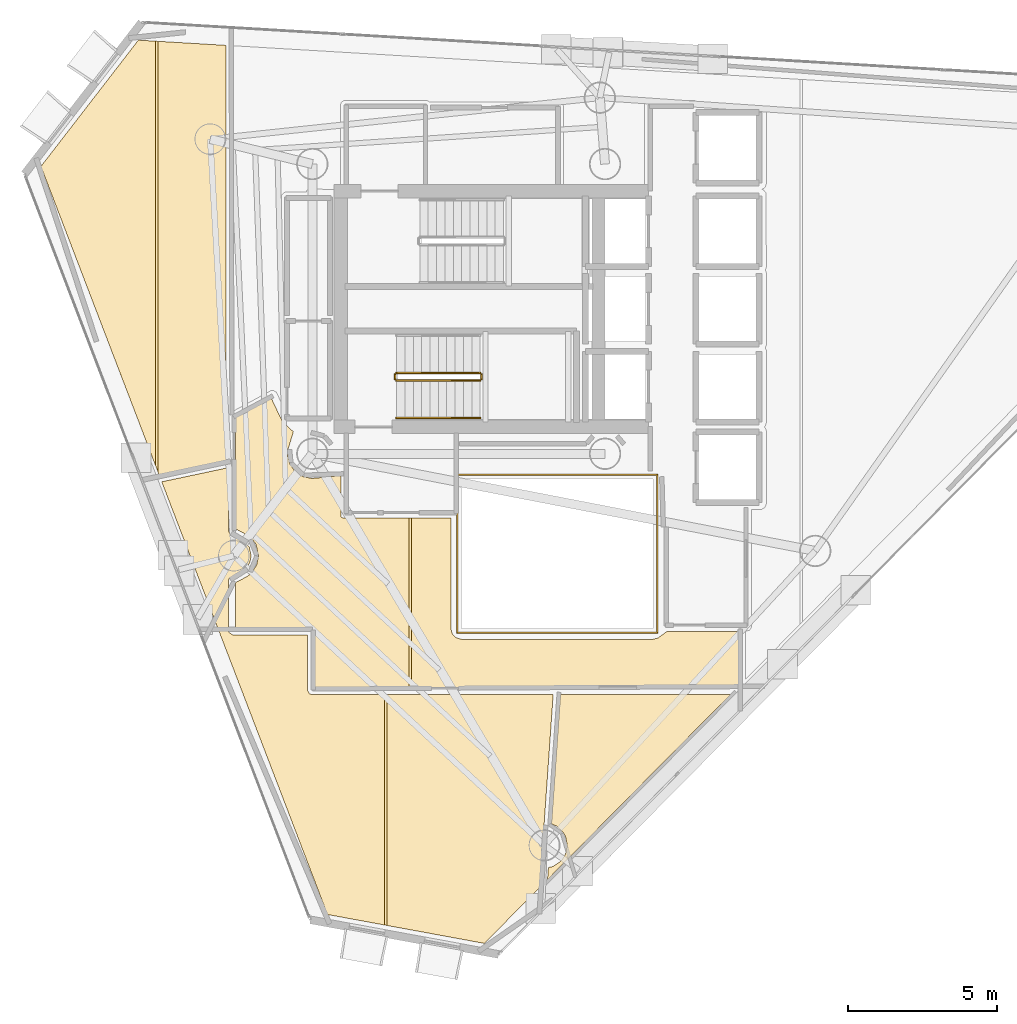
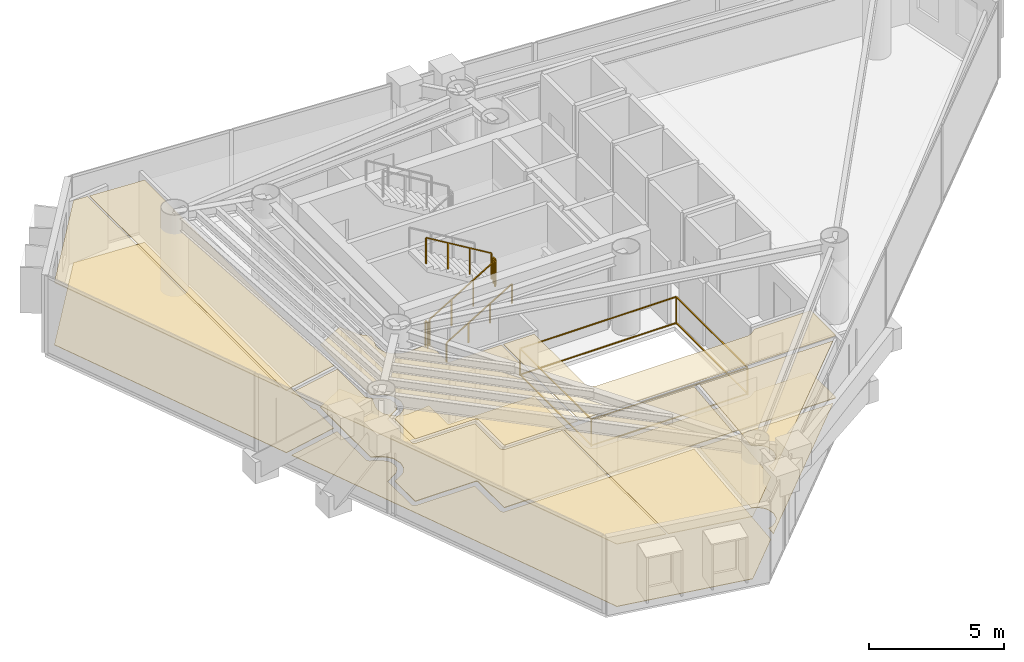
# One storey, part 19 of 20: 11 coverings, 6 railings.
"""IFC4 building model written with IfcOpenShell, lengths in metres."""

from ifc_helpers import new_model, si_unit, direction, frame, origin, origin_2d, place, context, subcontext, project, spatial, polyline, rectangle, outline, extrude, material, layer, layer_set, type_object, element, save


model = new_model("IFC4")

# Units and contexts
model_context = context("Model", 3, precision=1e-05, world=origin(), true_north=direction((0.0, 1.0)))
body_context = subcontext(model_context, "Body", "Model", "MODEL_VIEW")
ifc_project = project(units=[si_unit("LENGTHUNIT", "METRE"), si_unit("AREAUNIT", "SQUARE_METRE"), si_unit("VOLUMEUNIT", "CUBIC_METRE"), si_unit("PLANEANGLEUNIT", "RADIAN"), si_unit("MASSUNIT", "GRAM", prefix="KILO")], contexts=[model_context])

# Site, building, storey
site_placement = place(None, origin())
site = spatial("IfcSite", under=ifc_project, at=site_placement, CompositionType="ELEMENT")
building_placement = place(site_placement, origin())
building = spatial("IfcBuilding", under=site, at=building_placement, Name="Qianvela Tower", CompositionType="ELEMENT")
storey_placement = place(building_placement, frame((0.0, 0.0, 239.0)))
storey = spatial("IfcBuildingStorey", under=building, at=storey_placement, Name="L61", CompositionType="ELEMENT", Elevation=239.0)

# Coverings
ifc_material_1 = material(Name="Perforated Mineral Acoustic Ceiling Tile")
ifc_layer_1 = layer(ifc_material_1, 0.02490234375)
ifc_layer_set_1 = layer_set([ifc_layer_1], Name="Perforated Mineral Acoustic Ceiling Tile")
covering_type_1 = type_object("IfcCoveringType", Name="COV-CEIL-ACOUSTIC-25", PredefinedType="CEILING", material=ifc_layer_set_1)
covering_1_placement = place(storey_placement, frame((0.0, 0.0, 2.81494140625)))
element("IfcCovering", 1, at=covering_1_placement, inside=storey, type_object=covering_type_1, Name="L61 Acoustic Ceiling Bay 1 L61 Floor Corridor", PredefinedType="CEILING", context=body_context, shape_type="SweptSolid", body=[
    extrude(outline(polyline([(27.791015625, 24.010986328125), (27.789794921875, 24.003173828125), (27.775390625, 23.85791015625), (27.77490234375, 23.85009765625), (27.775390625, 23.84228515625), (27.776611328125, 23.83447265625), (27.833251953125, 23.54931640625), (27.835205078125, 23.541748046875), (27.837890625, 23.5341796875), (27.84130859375, 23.527099609375), (27.84521484375, 23.5205078125), (28.006591796875, 23.27880859375), (28.011474609375, 23.2724609375), (28.0166015625, 23.2666015625), (28.0224609375, 23.261474609375), (28.02880859375, 23.256591796875), (28.2705078125, 23.09521484375), (28.277099609375, 23.09130859375), (28.2841796875, 23.087890625), (28.291748046875, 23.085205078125), (28.29931640625, 23.083251953125), (28.58447265625, 23.026611328125), (28.59228515625, 23.025390625), (28.60009765625, 23.02490234375), (28.60791015625, 23.025390625), (29.55810546875, 23.118896484375), (29.55810546875, 21.780029296875), (29.558349609375, 21.772216796875), (29.5595703125, 21.764404296875), (29.561279296875, 21.7568359375), (29.564208984375, 21.74951171875), (29.5673828125, 21.7421875), (29.571533203125, 21.735595703125), (29.576171875, 21.729248046875), (29.581298828125, 21.723388671875), (29.587158203125, 21.71826171875), (29.593505859375, 21.71337890625), (29.600341796875, 21.70947265625), (29.607421875, 21.7060546875), (29.61474609375, 21.703369140625), (29.622314453125, 21.701416015625), (29.630126953125, 21.700439453125), (29.637939453125, 21.699951171875), (31.8359375, 21.699951171875), (31.8359375, 16.030029296875), (28.679931640625, 16.030029296875), (28.679931640625, 17.949951171875), (28.6796875, 17.957763671875), (28.678466796875, 17.965576171875), (28.676513671875, 17.97314453125), (28.673828125, 17.980712890625), (28.670654296875, 17.98779296875), (28.66650390625, 17.994384765625), (28.661865234375, 18.000732421875), (28.656494140625, 18.006591796875), (28.65087890625, 18.01171875), (28.644287109375, 18.0166015625), (28.6376953125, 18.0205078125), (28.630615234375, 18.02392578125), (28.623291015625, 18.026611328125), (28.615478515625, 18.028564453125), (28.60791015625, 18.029541015625), (28.60009765625, 18.030029296875), (26.030029296875, 18.030029296875), (26.030029296875, 19.53662109375), (26.423583984375, 19.7470703125), (26.430419921875, 19.7509765625), (26.436767578125, 19.755615234375), (26.549560546875, 19.848388671875), (26.555419921875, 19.853515625), (26.560546875, 19.859619140625), (26.565185546875, 19.86572265625), (26.726806640625, 20.107421875), (26.730712890625, 20.1142578125), (26.734130859375, 20.121337890625), (26.73681640625, 20.128662109375), (26.73876953125, 20.13623046875), (26.79541015625, 20.42138671875), (26.796630859375, 20.4296875), (26.797119140625, 20.437744140625), (26.79638671875, 20.446044921875), (26.795166015625, 20.4541015625), (26.716796875, 20.810546875), (26.71484375, 20.81787109375), (26.712158203125, 20.82470703125), (26.708984375, 20.83154296875), (26.705078125, 20.838134765625), (26.700439453125, 20.843994140625), (26.560546875, 21.014404296875), (26.555419921875, 21.0205078125), (26.549560546875, 21.025634765625), (26.436767578125, 21.118408203125), (26.430419921875, 21.123046875), (26.423583984375, 21.126953125), (26.030029296875, 21.33740234375), (26.030029296875, 25.065673828125), (27.22900390625, 25.70654296875), (27.58837890625, 24.947509765625), (27.591796875, 24.94091796875), (27.59619140625, 24.934814453125), (27.600830078125, 24.928955078125), (27.60595703125, 24.923583984375), (27.96533203125, 24.587158203125), (27.792724609375, 24.0185546875), (27.791015625, 24.010986328125)])), origin(), (0.0, 0.0, 1.0), 0.025146484375),
])
covering_2_placement = place(storey_placement, frame((0.0, 0.0, 2.81494140625)))
element("IfcCovering", 2, at=covering_2_placement, inside=storey, type_object=covering_type_1, Name="L61 Acoustic Ceiling Bay 2 L61 Floor Corridor", PredefinedType="CEILING", context=body_context, shape_type="SweptSolid", body=[
    extrude(outline(polyline([(33.239990234375, 21.699951171875), (33.239990234375, 18.0), (33.240478515625, 17.990234375), (33.242431640625, 17.980712890625), (33.275390625, 17.8486328125), (33.277587890625, 17.841064453125), (33.28076171875, 17.833740234375), (33.284423828125, 17.826904296875), (33.288818359375, 17.8203125), (33.293701171875, 17.814208984375), (33.38525390625, 17.71337890625), (33.391357421875, 17.70751953125), (33.398193359375, 17.701904296875), (33.405517578125, 17.697509765625), (33.4130859375, 17.693603515625), (33.421142578125, 17.690673828125), (33.576904296875, 17.643310546875), (33.58447265625, 17.6416015625), (33.59228515625, 17.640380859375), (33.60009765625, 17.639892578125), (40.0, 17.639892578125), (40.006591796875, 17.640380859375), (40.012939453125, 17.64111328125), (40.019287109375, 17.642333984375), (40.1513671875, 17.675537109375), (40.15869140625, 17.677734375), (40.166015625, 17.6806640625), (40.172607421875, 17.68408203125), (40.17919921875, 17.6884765625), (40.459228515625, 17.89306640625), (42.8701171875, 17.89990234375), (42.8701171875, 16.062744140625), (42.837646484375, 16.030029296875), (31.916015625, 16.030029296875), (31.916015625, 21.699951171875), (33.239990234375, 21.699951171875)])), origin(), (0.0, 0.0, 1.0), 0.025146484375),
])
covering_3_placement = place(storey_placement, frame((0.0, 0.0, 2.81494140625)))
element("IfcCovering", 3, at=covering_3_placement, inside=storey, type_object=covering_type_1, Name="L61 Acoustic Ceiling Panoramic Study Lounge L61-01", PredefinedType="CEILING", context=body_context, shape_type="SweptSolid", body=[
    extrude(outline(polyline([(36.50341796875, 9.998046875), (36.64892578125, 10.031005859375), (36.656005859375, 10.033203125), (36.662841796875, 10.03564453125), (36.669189453125, 10.038818359375), (36.675537109375, 10.04248046875), (36.897705078125, 10.191162109375), (36.904052734375, 10.19580078125), (36.909912109375, 10.201171875), (36.915283203125, 10.206787109375), (36.919921875, 10.213134765625), (37.068359375, 10.435302734375), (37.072509765625, 10.442138671875), (37.07568359375, 10.44921875), (37.078369140625, 10.45654296875), (37.080322265625, 10.46435546875), (37.132568359375, 10.726318359375), (37.133544921875, 10.734130859375), (37.134033203125, 10.741943359375), (37.133544921875, 10.749755859375), (37.132568359375, 10.757568359375), (37.080322265625, 11.019775390625), (37.078369140625, 11.02734375), (37.07568359375, 11.034912109375), (37.072509765625, 11.041748046875), (37.009033203125, 11.160400390625), (37.005126953125, 11.1669921875), (37.00048828125, 11.17333984375), (36.9951171875, 11.17919921875), (36.80615234375, 11.3681640625), (36.80029296875, 11.373291015625), (36.794189453125, 11.3779296875), (36.78759765625, 11.3818359375), (36.78076171875, 11.38525390625), (36.60546875, 11.45947265625), (36.908203125, 15.7900390625), (42.60009765625, 15.7900390625), (36.475341796875, 9.597900390625), (36.50341796875, 9.998046875)])), origin(), (0.0, 0.0, 1.0), 0.025146484375),
])
covering_4_placement = place(storey_placement, frame((0.0, 0.0, 2.81494140625)))
element("IfcCovering", 4, at=covering_4_placement, inside=storey, type_object=covering_type_1, Name="L61 Acoustic Ceiling Bay 1 Shared Communal Kitchen L61-03", PredefinedType="CEILING", context=body_context, shape_type="SweptSolid", body=[
    extrude(outline(polyline([(19.514892578125, 33.47119140625), (22.7763671875, 37.697998046875), (23.35791015625, 37.66357421875), (23.35791015625, 23.438720703125), (19.514892578125, 33.47119140625)])), origin(), (0.0, 0.0, 1.0), 0.025146484375),
])
covering_5_placement = place(storey_placement, frame((0.0, 0.0, 2.81494140625)))
element("IfcCovering", 5, at=covering_5_placement, inside=storey, type_object=covering_type_1, Name="L61 Acoustic Ceiling Bay 2 Shared Communal Kitchen L61-03", PredefinedType="CEILING", context=body_context, shape_type="SweptSolid", body=[
    extrude(outline(polyline([(23.47119140625, 23.142822265625), (23.43798828125, 23.229736328125), (23.43798828125, 37.65869140625), (25.7119140625, 37.52392578125), (25.711181640625, 25.235107421875), (25.711669921875, 25.228271484375), (25.71240234375, 25.22119140625), (25.714111328125, 25.214111328125), (25.747314453125, 25.092041015625), (25.75, 25.084228515625), (25.75341796875, 25.076904296875), (25.75732421875, 25.06982421875), (25.76220703125, 25.063232421875), (25.767578125, 25.05712890625), (25.773681640625, 25.051513671875), (25.780029296875, 25.046630859375), (25.787109375, 25.04248046875), (25.798828125, 25.036376953125), (25.790283203125, 23.6357421875), (23.47119140625, 23.142822265625)])), origin(), (0.0, 0.0, 1.0), 0.025146484375),
])
covering_6_placement = place(storey_placement, frame((0.0, 0.0, 2.81494140625)))
element("IfcCovering", 6, at=covering_6_placement, inside=storey, type_object=covering_type_1, Name="L61 Acoustic Ceiling Bay 1 Student Tea Pantry L61-04", PredefinedType="CEILING", context=body_context, shape_type="SweptSolid", body=[
    extrude(outline(polyline([(25.839111328125, 21.178466796875), (25.84375, 21.172119140625), (25.84912109375, 21.16650390625), (25.854736328125, 21.1611328125), (25.861083984375, 21.156494140625), (25.867919921875, 21.15234375), (26.296630859375, 20.9228515625), (26.385009765625, 20.85009765625), (26.490478515625, 20.721435546875), (26.553466796875, 20.435302734375), (26.509521484375, 20.21435546875), (26.3818359375, 20.023193359375), (25.830810546875, 19.67529296875), (25.82421875, 19.6708984375), (25.818115234375, 19.66552734375), (25.8125, 19.65966796875), (25.8076171875, 19.6533203125), (25.80322265625, 19.646240234375), (25.7998046875, 19.638916015625), (25.797119140625, 19.63134765625), (25.794921875, 19.62353515625), (25.793701171875, 19.615478515625), (25.79345703125, 19.607421875), (25.79931640625, 17.912109375), (25.7998046875, 17.90380859375), (25.80126953125, 17.895751953125), (25.80322265625, 17.8876953125), (25.80615234375, 17.880126953125), (25.809814453125, 17.872802734375), (25.814208984375, 17.86572265625), (25.8193359375, 17.859375), (25.8251953125, 17.853515625), (25.83154296875, 17.84814453125), (25.83837890625, 17.84375), (25.908935546875, 17.801513671875), (25.91650390625, 17.79736328125), (25.924560546875, 17.794189453125), (25.932861328125, 17.7919921875), (25.94140625, 17.79052734375), (25.949951171875, 17.7900390625), (28.43994140625, 17.7900390625), (28.43994140625, 15.949951171875), (28.4404296875, 15.94140625), (28.44189453125, 15.932861328125), (28.444091796875, 15.924560546875), (28.447265625, 15.91650390625), (28.451416015625, 15.908935546875), (28.49365234375, 15.83837890625), (28.498291015625, 15.83154296875), (28.50341796875, 15.8251953125), (28.509521484375, 15.8193359375), (28.515869140625, 15.814208984375), (28.522705078125, 15.809814453125), (28.5302734375, 15.80615234375), (28.537841796875, 15.80322265625), (28.5458984375, 15.80126953125), (28.553955078125, 15.7998046875), (28.562255859375, 15.79931640625), (31.013427734375, 15.796630859375), (31.013427734375, 8.07470703125), (29.10888671875, 8.42529296875), (23.5595703125, 22.912109375), (25.7900390625, 23.38623046875), (25.7900390625, 21.289306640625), (25.790283203125, 21.281494140625), (25.79150390625, 21.273681640625), (25.79345703125, 21.26611328125), (25.796142578125, 21.2587890625), (25.79931640625, 21.251708984375), (25.8349609375, 21.185302734375), (25.839111328125, 21.178466796875)])), origin(), (0.0, 0.0, 1.0), 0.025146484375),
])
covering_7_placement = place(storey_placement, frame((0.0, 0.0, 2.81494140625)))
element("IfcCovering", 7, at=covering_7_placement, inside=storey, type_object=covering_type_1, Name="L61 Acoustic Ceiling Bay 2 Student Tea Pantry L61-04", PredefinedType="CEILING", context=body_context, shape_type="SweptSolid", body=[
    extrude(outline(polyline([(36.663818359375, 15.7900390625), (36.212158203125, 9.331787109375), (34.35986328125, 7.458984375), (31.093505859375, 8.06005859375), (31.093505859375, 15.79638671875), (36.663818359375, 15.7900390625)])), origin(), (0.0, 0.0, 1.0), 0.025146484375),
])
ifc_material_2 = material(Name="Engineered Acoustic Oak Timber Flooring", Category="wood")
ifc_layer_2 = layer(ifc_material_2, 0.02001953125)
ifc_layer_set_2 = layer_set([ifc_layer_2], Name="Engineered Acoustic Oak Timber Flooring")
covering_type_2 = type_object("IfcCoveringType", Name="COV-FLOOR-OAK-20", PredefinedType="FLOORING", material=ifc_layer_set_2)
covering_8_placement = place(storey_placement, origin())
element("IfcCovering", 8, at=covering_8_placement, inside=storey, type_object=covering_type_2, Name="L61 Finish Flooring Panoramic Study Lounge L61-01", PredefinedType="FLOORING", context=body_context, shape_type="SweptSolid", body=[
    extrude(outline(polyline([(36.50341796875, 9.998046875), (36.64892578125, 10.031005859375), (36.656005859375, 10.033203125), (36.662841796875, 10.03564453125), (36.669189453125, 10.038818359375), (36.675537109375, 10.04248046875), (36.897705078125, 10.191162109375), (36.904052734375, 10.19580078125), (36.909912109375, 10.201171875), (36.915283203125, 10.206787109375), (36.919921875, 10.213134765625), (37.068359375, 10.435302734375), (37.072509765625, 10.442138671875), (37.07568359375, 10.44921875), (37.078369140625, 10.45654296875), (37.080322265625, 10.46435546875), (37.132568359375, 10.726318359375), (37.133544921875, 10.734130859375), (37.134033203125, 10.741943359375), (37.133544921875, 10.749755859375), (37.132568359375, 10.757568359375), (37.080322265625, 11.019775390625), (37.078369140625, 11.02734375), (37.07568359375, 11.034912109375), (37.072509765625, 11.041748046875), (37.009033203125, 11.160400390625), (37.005126953125, 11.1669921875), (37.00048828125, 11.17333984375), (36.9951171875, 11.17919921875), (36.80615234375, 11.3681640625), (36.80029296875, 11.373291015625), (36.794189453125, 11.3779296875), (36.78759765625, 11.3818359375), (36.78076171875, 11.38525390625), (36.60546875, 11.45947265625), (36.908203125, 15.7900390625), (42.60009765625, 15.7900390625), (36.475341796875, 9.597900390625), (36.50341796875, 9.998046875)])), origin(), (0.0, 0.0, 1.0), 0.02001953125),
])
covering_9_placement = place(storey_placement, origin())
element("IfcCovering", 9, at=covering_9_placement, inside=storey, type_object=covering_type_2, Name="L61 Finish Flooring Shared Communal Kitchen L61-03", PredefinedType="FLOORING", context=body_context, shape_type="SweptSolid", body=[
    extrude(outline(polyline([(25.790283203125, 23.6357421875), (23.47119140625, 23.142822265625), (19.514892578125, 33.47119140625), (22.7763671875, 37.697998046875), (25.7119140625, 37.52392578125), (25.711181640625, 25.235107421875), (25.711669921875, 25.228271484375), (25.71240234375, 25.22119140625), (25.714111328125, 25.214111328125), (25.747314453125, 25.092041015625), (25.75, 25.084228515625), (25.75341796875, 25.076904296875), (25.75732421875, 25.06982421875), (25.76220703125, 25.063232421875), (25.767578125, 25.05712890625), (25.773681640625, 25.051513671875), (25.780029296875, 25.046630859375), (25.787109375, 25.04248046875), (25.798828125, 25.036376953125), (25.790283203125, 23.6357421875)])), origin(), (0.0, 0.0, 1.0), 0.02001953125),
])
covering_10_placement = place(storey_placement, origin())
element("IfcCovering", 10, at=covering_10_placement, inside=storey, type_object=covering_type_2, Name="L61 Finish Flooring Student Tea Pantry L61-04", PredefinedType="FLOORING", context=body_context, shape_type="SweptSolid", body=[
    extrude(outline(polyline([(25.8349609375, 21.185302734375), (25.839111328125, 21.178466796875), (25.84375, 21.172119140625), (25.84912109375, 21.16650390625), (25.854736328125, 21.1611328125), (25.861083984375, 21.156494140625), (25.867919921875, 21.15234375), (26.296630859375, 20.9228515625), (26.385009765625, 20.85009765625), (26.490478515625, 20.721435546875), (26.553466796875, 20.435302734375), (26.509521484375, 20.21435546875), (26.3818359375, 20.023193359375), (25.830810546875, 19.67529296875), (25.82421875, 19.6708984375), (25.818115234375, 19.66552734375), (25.8125, 19.65966796875), (25.8076171875, 19.6533203125), (25.80322265625, 19.646240234375), (25.7998046875, 19.638916015625), (25.797119140625, 19.63134765625), (25.794921875, 19.62353515625), (25.793701171875, 19.615478515625), (25.79345703125, 19.607421875), (25.79931640625, 17.912109375), (25.7998046875, 17.90380859375), (25.80126953125, 17.895751953125), (25.80322265625, 17.8876953125), (25.80615234375, 17.880126953125), (25.809814453125, 17.872802734375), (25.814208984375, 17.86572265625), (25.8193359375, 17.859375), (25.8251953125, 17.853515625), (25.83154296875, 17.84814453125), (25.83837890625, 17.84375), (25.908935546875, 17.801513671875), (25.91650390625, 17.79736328125), (25.924560546875, 17.794189453125), (25.932861328125, 17.7919921875), (25.94140625, 17.79052734375), (25.949951171875, 17.7900390625), (28.43994140625, 17.7900390625), (28.43994140625, 15.949951171875), (28.4404296875, 15.94140625), (28.44189453125, 15.932861328125), (28.444091796875, 15.924560546875), (28.447265625, 15.91650390625), (28.451416015625, 15.908935546875), (28.49365234375, 15.83837890625), (28.498291015625, 15.83154296875), (28.50341796875, 15.8251953125), (28.509521484375, 15.8193359375), (28.515869140625, 15.814208984375), (28.522705078125, 15.809814453125), (28.5302734375, 15.80615234375), (28.537841796875, 15.80322265625), (28.5458984375, 15.80126953125), (28.553955078125, 15.7998046875), (28.562255859375, 15.79931640625), (36.663818359375, 15.7900390625), (36.212158203125, 9.331787109375), (34.35986328125, 7.458984375), (29.10888671875, 8.42529296875), (23.5595703125, 22.912109375), (25.7900390625, 23.38623046875), (25.7900390625, 21.289306640625), (25.790283203125, 21.281494140625), (25.79150390625, 21.273681640625), (25.79345703125, 21.26611328125), (25.796142578125, 21.2587890625), (25.79931640625, 21.251708984375), (25.8349609375, 21.185302734375)])), origin(), (0.0, 0.0, 1.0), 0.02001953125),
])
ifc_material_3 = material(Name="Honed Stone Terrazzo Flooring", Category="masonry")
ifc_layer_3 = layer(ifc_material_3, 0.030029296875)
ifc_layer_set_3 = layer_set([ifc_layer_3], Name="Honed Stone Terrazzo Flooring")
covering_type_3 = type_object("IfcCoveringType", Name="COV-FLOOR-TERRAZZO-30", PredefinedType="FLOORING", material=ifc_layer_set_3)
covering_11_placement = place(storey_placement, origin())
element("IfcCovering", 11, at=covering_11_placement, inside=storey, type_object=covering_type_3, Name="L61 Finish Flooring L61 Floor Corridor", PredefinedType="FLOORING", context=body_context, shape_type="SweptSolid", body=[
    extrude(outline(polyline([(27.792724609375, 24.0185546875), (27.791015625, 24.010986328125), (27.789794921875, 24.003173828125), (27.775390625, 23.85791015625), (27.77490234375, 23.85009765625), (27.775390625, 23.84228515625), (27.776611328125, 23.83447265625), (27.833251953125, 23.54931640625), (27.835205078125, 23.541748046875), (27.837890625, 23.5341796875), (27.84130859375, 23.527099609375), (27.84521484375, 23.5205078125), (28.006591796875, 23.27880859375), (28.011474609375, 23.2724609375), (28.0166015625, 23.2666015625), (28.0224609375, 23.261474609375), (28.02880859375, 23.256591796875), (28.2705078125, 23.09521484375), (28.277099609375, 23.09130859375), (28.2841796875, 23.087890625), (28.291748046875, 23.085205078125), (28.29931640625, 23.083251953125), (28.58447265625, 23.026611328125), (28.59228515625, 23.025390625), (28.60009765625, 23.02490234375), (28.60791015625, 23.025390625), (29.55810546875, 23.118896484375), (29.55810546875, 21.780029296875), (29.558349609375, 21.772216796875), (29.5595703125, 21.764404296875), (29.561279296875, 21.7568359375), (29.564208984375, 21.74951171875), (29.5673828125, 21.7421875), (29.571533203125, 21.735595703125), (29.576171875, 21.729248046875), (29.581298828125, 21.723388671875), (29.587158203125, 21.71826171875), (29.593505859375, 21.71337890625), (29.600341796875, 21.70947265625), (29.607421875, 21.7060546875), (29.61474609375, 21.703369140625), (29.622314453125, 21.701416015625), (29.630126953125, 21.700439453125), (29.637939453125, 21.699951171875), (33.239990234375, 21.699951171875), (33.239990234375, 18.0), (33.240478515625, 17.990234375), (33.242431640625, 17.980712890625), (33.275390625, 17.8486328125), (33.277587890625, 17.841064453125), (33.28076171875, 17.833740234375), (33.284423828125, 17.826904296875), (33.288818359375, 17.8203125), (33.293701171875, 17.814208984375), (33.38525390625, 17.71337890625), (33.391357421875, 17.70751953125), (33.398193359375, 17.701904296875), (33.405517578125, 17.697509765625), (33.4130859375, 17.693603515625), (33.421142578125, 17.690673828125), (33.576904296875, 17.643310546875), (33.58447265625, 17.6416015625), (33.59228515625, 17.640380859375), (33.60009765625, 17.639892578125), (40.0, 17.639892578125), (40.006591796875, 17.640380859375), (40.012939453125, 17.64111328125), (40.019287109375, 17.642333984375), (40.1513671875, 17.675537109375), (40.15869140625, 17.677734375), (40.166015625, 17.6806640625), (40.172607421875, 17.68408203125), (40.17919921875, 17.6884765625), (40.459228515625, 17.89306640625), (42.8701171875, 17.89990234375), (42.8701171875, 16.062744140625), (42.837646484375, 16.030029296875), (28.679931640625, 16.030029296875), (28.679931640625, 17.949951171875), (28.6796875, 17.957763671875), (28.678466796875, 17.965576171875), (28.676513671875, 17.97314453125), (28.673828125, 17.980712890625), (28.670654296875, 17.98779296875), (28.66650390625, 17.994384765625), (28.661865234375, 18.000732421875), (28.656494140625, 18.006591796875), (28.65087890625, 18.01171875), (28.644287109375, 18.0166015625), (28.6376953125, 18.0205078125), (28.630615234375, 18.02392578125), (28.623291015625, 18.026611328125), (28.615478515625, 18.028564453125), (28.60791015625, 18.029541015625), (28.60009765625, 18.030029296875), (26.030029296875, 18.030029296875), (26.030029296875, 19.53662109375), (26.423583984375, 19.7470703125), (26.430419921875, 19.7509765625), (26.436767578125, 19.755615234375), (26.549560546875, 19.848388671875), (26.555419921875, 19.853515625), (26.560546875, 19.859619140625), (26.565185546875, 19.86572265625), (26.726806640625, 20.107421875), (26.730712890625, 20.1142578125), (26.734130859375, 20.121337890625), (26.73681640625, 20.128662109375), (26.73876953125, 20.13623046875), (26.79541015625, 20.42138671875), (26.796630859375, 20.4296875), (26.797119140625, 20.437744140625), (26.79638671875, 20.446044921875), (26.795166015625, 20.4541015625), (26.716796875, 20.810546875), (26.71484375, 20.81787109375), (26.712158203125, 20.82470703125), (26.708984375, 20.83154296875), (26.705078125, 20.838134765625), (26.700439453125, 20.843994140625), (26.560546875, 21.014404296875), (26.555419921875, 21.0205078125), (26.549560546875, 21.025634765625), (26.436767578125, 21.118408203125), (26.430419921875, 21.123046875), (26.423583984375, 21.126953125), (26.030029296875, 21.33740234375), (26.030029296875, 25.065673828125), (27.22900390625, 25.70654296875), (27.58837890625, 24.947509765625), (27.591796875, 24.94091796875), (27.59619140625, 24.934814453125), (27.600830078125, 24.928955078125), (27.60595703125, 24.923583984375), (27.96533203125, 24.587158203125), (27.792724609375, 24.0185546875)])), origin(), (0.0, 0.0, 1.0), 0.030029296875),
])

# Railings
ifc_material_4 = material(Name="Laminated Safety Glass and Stainless Steel 316", Category="steel")
railing_type_1 = type_object("IfcRailingType", Name="RL-ATRIUM-GUARD-1250", PredefinedType="GUARDRAIL", material=ifc_material_4)
railing_1_placement = place(storey_placement, frame((33.4599609375, 17.860107421875, 0.0)))
element("IfcRailing", 12, at=railing_1_placement, inside=storey, type_object=railing_type_1, Name="L61 Atrium Edge Guardrail 1", PredefinedType="GUARDRAIL", context=body_context, shape_type="SweptSolid", body=[
    extrude(rectangle(XDim=0.050048828125, YDim=0.0400390625, at=origin_2d()), frame((0.0, 0.0, 1.22998046875), z_axis=(0.0, 1.0, 0.0), x_axis=(-1.0, 0.0, 0.0)), (0.0, 0.0, 1.0), 5.27978515625),
    extrude(rectangle(XDim=0.050048828125, YDim=0.0400390625, at=origin_2d()), frame((0.0, 0.0, 0.050048828125), z_axis=(0.0, 1.0, 0.0), x_axis=(-1.0, 0.0, 0.0)), (0.0, 0.0, 1.0), 5.27978515625),
    extrude(rectangle(XDim=0.050048828125, YDim=0.0400390625, at=origin_2d()), frame((0.0, 5.27978515625, 1.22998046875), z_axis=(1.0, 0.0, 0.0), x_axis=(0.0, 1.0, 0.0)), (0.0, 0.0, 1.0), 6.679931640625),
    extrude(rectangle(XDim=0.050048828125, YDim=0.0400390625, at=origin_2d()), frame((0.0, 5.27978515625, 0.050048828125), z_axis=(1.0, 0.0, 0.0), x_axis=(0.0, 1.0, 0.0)), (0.0, 0.0, 1.0), 6.679931640625),
    extrude(rectangle(XDim=0.050048828125, YDim=0.0400390625, at=origin_2d()), frame((6.679931640625, 5.27978515625, 1.22998046875), z_axis=(0.0, -1.0, 0.0), x_axis=(1.0, 0.0, 0.0)), (0.0, 0.0, 1.0), 5.27978515625),
    extrude(rectangle(XDim=0.050048828125, YDim=0.0400390625, at=origin_2d()), frame((6.679931640625, 5.27978515625, 0.050048828125), z_axis=(0.0, -1.0, 0.0), x_axis=(1.0, 0.0, 0.0)), (0.0, 0.0, 1.0), 5.27978515625),
    extrude(rectangle(XDim=0.050048828125, YDim=0.0400390625, at=origin_2d()), frame((6.679931640625, 0.0, 1.22998046875), z_axis=(-1.0, 0.0, 0.0), x_axis=(0.0, -1.0, 0.0)), (0.0, 0.0, 1.0), 6.679931640625),
    extrude(rectangle(XDim=0.050048828125, YDim=0.0400390625, at=origin_2d()), frame((6.679931640625, 0.0, 0.050048828125), z_axis=(-1.0, 0.0, 0.0), x_axis=(0.0, -1.0, 0.0)), (0.0, 0.0, 1.0), 6.679931640625),
    extrude(rectangle(XDim=0.050048828125, YDim=0.050048828125, at=origin_2d()), origin(), (0.0, 0.0, 1.0), 1.2099609375),
    extrude(rectangle(XDim=0.050048828125, YDim=0.050048828125, at=origin_2d()), frame((0.0, 5.27978515625, 0.0)), (0.0, 0.0, 1.0), 1.2099609375),
    extrude(rectangle(XDim=0.050048828125, YDim=0.050048828125, at=origin_2d()), frame((6.679931640625, 5.27978515625, 0.0)), (0.0, 0.0, 1.0), 1.2099609375),
    extrude(rectangle(XDim=0.050048828125, YDim=0.050048828125, at=origin_2d()), frame((6.679931640625, 0.0, 0.0)), (0.0, 0.0, 1.0), 1.2099609375),
])
ifc_material_5 = material(Name="Painted Tubular Steel Q355B", Category="steel")
railing_type_2 = type_object("IfcRailingType", Name="RL-STAIR-GUARD-1200", PredefinedType="GUARDRAIL", material=ifc_material_5)
railing_2_placement = place(storey_placement, frame((31.419921875, 26.300048828125, 0.168212890625)))
element("IfcRailing", 13, at=railing_2_placement, inside=storey, type_object=railing_type_2, Name="L61 ST-2 stair guard 1", PredefinedType="GUARDRAIL", context=body_context, shape_type="SweptSolid", body=[
    extrude(rectangle(XDim=0.050048828125, YDim=0.0400390625, at=origin_2d()), frame((0.0, 0.0, 1.179931640625), z_axis=(0.857242210791, 0.0, 0.514913383045), x_axis=(0.0, 1.0, 0.0)), (0.0, 0.0, 1.0), 3.266357421875),
    extrude(rectangle(XDim=0.050048828125, YDim=0.050048828125, at=origin_2d()), origin(), (0.0, 0.0, 1.0), 1.159912109375),
    extrude(rectangle(XDim=0.050048828125, YDim=0.050048828125, at=origin_2d()), frame((0.933349609375, 0.0, 0.560546875)), (0.0, 0.0, 1.0), 1.159912109375),
    extrude(rectangle(XDim=0.050048828125, YDim=0.050048828125, at=origin_2d()), frame((1.86669921875, 0.0, 1.121337890625)), (0.0, 0.0, 1.0), 1.159912109375),
    extrude(rectangle(XDim=0.050048828125, YDim=0.050048828125, at=origin_2d()), frame((2.800048828125, 0.0, 1.681884765625)), (0.0, 0.0, 1.0), 1.159912109375),
])
railing_3_placement = place(storey_placement, frame((34.27001953125, 26.35009765625, 1.85009765625)))
element("IfcRailing", 14, at=railing_3_placement, inside=storey, type_object=railing_type_2, Name="L61 ST-2 stair guard 2", PredefinedType="GUARDRAIL", context=body_context, shape_type="SweptSolid", body=[
    extrude(rectangle(XDim=0.050048828125, YDim=0.0400390625, at=origin_2d()), frame((0.0, 0.0, 1.179931640625), z_axis=(0.0, 1.0, 0.0), x_axis=(-1.0, 0.0, 0.0)), (0.0, 0.0, 1.0), 0.159912109375),
    extrude(rectangle(XDim=0.050048828125, YDim=0.050048828125, at=origin_2d()), origin(), (0.0, 0.0, 1.0), 1.159912109375),
    extrude(rectangle(XDim=0.050048828125, YDim=0.050048828125, at=origin_2d()), frame((0.0, 0.159912109375, 0.0)), (0.0, 0.0, 1.0), 1.159912109375),
])
railing_4_placement = place(storey_placement, frame((34.219970703125, 26.56005859375, 2.01806640625)))
element("IfcRailing", 15, at=railing_4_placement, inside=storey, type_object=railing_type_2, Name="L61 ST-2 stair guard 3", PredefinedType="GUARDRAIL", context=body_context, shape_type="SweptSolid", body=[
    extrude(rectangle(XDim=0.050048828125, YDim=0.0400390625, at=origin_2d()), frame((0.0, 0.0, 1.179931640625), z_axis=(-0.857242210791, 0.0, 0.514913383045), x_axis=(0.0, -1.0, 0.0)), (0.0, 0.0, 1.0), 3.266357421875),
    extrude(rectangle(XDim=0.050048828125, YDim=0.050048828125, at=origin_2d()), origin(), (0.0, 0.0, 1.0), 1.159912109375),
    extrude(rectangle(XDim=0.050048828125, YDim=0.050048828125, at=origin_2d()), frame((-0.933349609375, 0.0, 0.560546875)), (0.0, 0.0, 1.0), 1.159912109375),
    extrude(rectangle(XDim=0.050048828125, YDim=0.050048828125, at=origin_2d()), frame((-1.86669921875, 0.0, 1.121337890625)), (0.0, 0.0, 1.0), 1.159912109375),
    extrude(rectangle(XDim=0.050048828125, YDim=0.050048828125, at=origin_2d()), frame((-2.800048828125, 0.0, 1.681884765625)), (0.0, 0.0, 1.0), 1.159912109375),
])
railing_5_placement = place(storey_placement, frame((31.3701171875, 26.35009765625, 0.0)))
element("IfcRailing", 16, at=railing_5_placement, inside=storey, type_object=railing_type_2, Name="L61 ST-2 stair guard 4", PredefinedType="GUARDRAIL", context=body_context, shape_type="SweptSolid", body=[
    extrude(rectangle(XDim=0.050048828125, YDim=0.0400390625, at=origin_2d()), frame((0.0, 0.0, 1.179931640625), z_axis=(0.0, 1.0, 0.0), x_axis=(-1.0, 0.0, 0.0)), (0.0, 0.0, 1.0), 0.159912109375),
    extrude(rectangle(XDim=0.050048828125, YDim=0.050048828125, at=origin_2d()), origin(), (0.0, 0.0, 1.0), 1.159912109375),
    extrude(rectangle(XDim=0.050048828125, YDim=0.050048828125, at=origin_2d()), frame((0.0, 0.159912109375, 0.0)), (0.0, 0.0, 1.0), 1.159912109375),
])
ifc_material_6 = material(Name="Brushed Stainless Steel 304", Category="steel")
railing_type_3 = type_object("IfcRailingType", Name="RL-STAIR-HANDRAIL-900", PredefinedType="HANDRAIL", material=ifc_material_6)
railing_6_placement = place(storey_placement, frame((31.419921875, 25.050048828125, 0.168212890625)))
element("IfcRailing", 17, at=railing_6_placement, inside=storey, type_object=railing_type_3, Name="L61 ST-2 stair handrail 1", PredefinedType="HANDRAIL", context=body_context, shape_type="SweptSolid", body=[
    extrude(rectangle(XDim=0.050048828125, YDim=0.0400390625, at=origin_2d()), frame((0.0, 0.0, 0.8798828125), z_axis=(0.857242210791, 0.0, 0.514913383045), x_axis=(0.0, 1.0, 0.0)), (0.0, 0.0, 1.0), 3.266357421875),
    extrude(rectangle(XDim=0.050048828125, YDim=0.050048828125, at=origin_2d()), origin(), (0.0, 0.0, 1.0), 0.85986328125),
    extrude(rectangle(XDim=0.050048828125, YDim=0.050048828125, at=origin_2d()), frame((0.933349609375, 0.0, 0.560546875)), (0.0, 0.0, 1.0), 0.85986328125),
    extrude(rectangle(XDim=0.050048828125, YDim=0.050048828125, at=origin_2d()), frame((1.86669921875, 0.0, 1.121337890625)), (0.0, 0.0, 1.0), 0.85986328125),
    extrude(rectangle(XDim=0.050048828125, YDim=0.050048828125, at=origin_2d()), frame((2.800048828125, 0.0, 1.681884765625)), (0.0, 0.0, 1.0), 0.85986328125),
])

save(model, "model.ifc")
